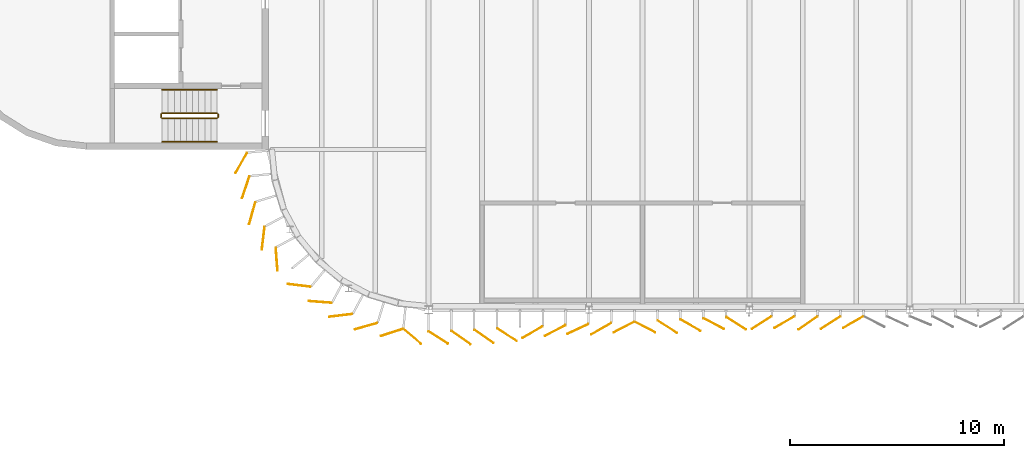
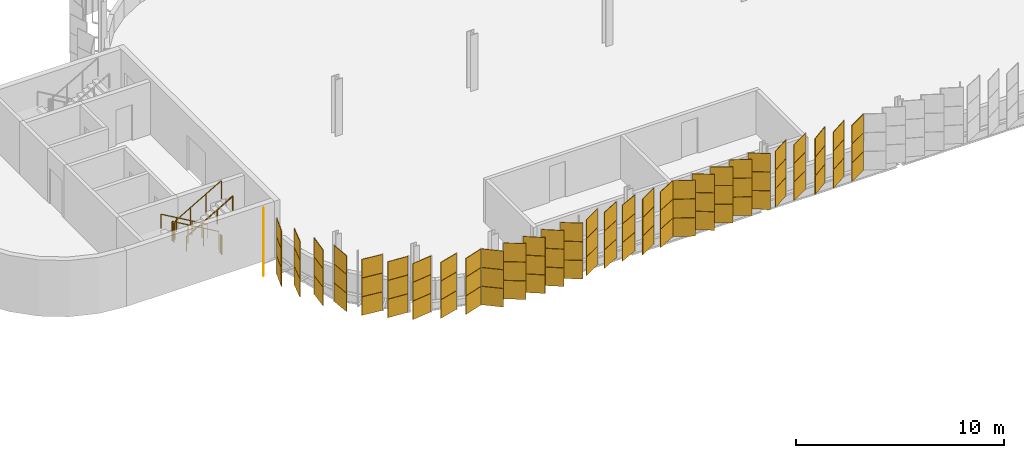
# One storey, part 197 of 214: 90 coverings, 6 railings.
"""IFC4 building model written with IfcOpenShell, lengths in metres."""

from ifc_helpers import new_model, si_unit, direction, frame, origin, origin_2d, place, context, subcontext, project, spatial, rectangle, circle, extrude, material, layer, layer_set, type_object, element, save


model = new_model("IFC4")

# Units and contexts
model_context = context("Model", 3, precision=1e-05, world=origin(), true_north=direction((0.0, 1.0)))
body_context = subcontext(model_context, "Body", "Model", "MODEL_VIEW")
ifc_project = project(units=[si_unit("LENGTHUNIT", "METRE"), si_unit("AREAUNIT", "SQUARE_METRE"), si_unit("VOLUMEUNIT", "CUBIC_METRE"), si_unit("PLANEANGLEUNIT", "RADIAN"), si_unit("MASSUNIT", "GRAM", prefix="KILO")], contexts=[model_context])

# Site, building, storey
site_placement = place(None, origin())
site = spatial("IfcSite", under=ifc_project, at=site_placement, CompositionType="ELEMENT")
building_placement = place(site_placement, origin())
building = spatial("IfcBuilding", under=site, at=building_placement, Name="Parallax Yard Mobility Hub", CompositionType="ELEMENT")
storey_placement = place(building_placement, frame((0.0, 0.0, 3.300048828125)))
storey = spatial("IfcBuildingStorey", under=building, at=storey_placement, Name="L01", CompositionType="ELEMENT", Elevation=3.300048828125)

# Coverings
ifc_material_1 = material(Name="Aluminium panel, light oak finish", Category="aluminium")
ifc_layer_1 = layer(ifc_material_1, 0.030029296875)
ifc_layer_set_1 = layer_set([ifc_layer_1], Name="Skin panel 25 degree turn, oak finish")
covering_type_1 = type_object("IfcCoveringType", Name="Skin panel 25 degree turn, oak finish", PredefinedType="CLADDING", material=ifc_layer_set_1)
for number, where, z_axis, x_axis, name in (
    (1, (36.981689453125, 111.602294921875, 1.119873046875), (0.0, 0.0, 1.0), (-0.906307787037, -0.422618261741, 0.0), "Skin panel 25 bay 1.7 row 2 level L01"),
    (2, (36.981689453125, 111.602294921875, 2.219970703125), (0.0, 0.0, 1.0), (-0.906307787037, -0.422618261741, 0.0), "Skin panel 25 bay 1.7 row 3 level L01"),
):
    element("IfcCovering", number, at=place(storey_placement, frame(where, z_axis=z_axis, x_axis=x_axis)), inside=storey, type_object=covering_type_1, Name=name, ObjectType="SCREEN", PredefinedType="CLADDING", context=body_context, shape_type="SweptSolid", body=[
        extrude(rectangle(XDim=1.080078125, YDim=0.030029296875, at=origin_2d()), origin(), (0.0, 0.0, 1.0), 1.080078125),
    ])
ifc_material_2 = material(Name="Aluminium panel, walnut finish", Category="aluminium")
ifc_layer_2 = layer(ifc_material_2, 0.030029296875)
ifc_layer_set_2 = layer_set([ifc_layer_2], Name="Skin panel 25 degree turn, walnut finish")
covering_type_2 = type_object("IfcCoveringType", Name="Skin panel 25 degree turn, walnut finish", PredefinedType="CLADDING", material=ifc_layer_set_2)
covering_placement = place(storey_placement, frame((36.981689453125, 111.602294921875, 0.02001953125), z_axis=(0.0, 0.0, 1.0), x_axis=(-0.906307787037, -0.422618261741, 0.0)))
element("IfcCovering", 3, at=covering_placement, inside=storey, type_object=covering_type_2, Name="Skin panel 25 bay 1.7 row 1 level L01", ObjectType="SCREEN", PredefinedType="CLADDING", context=body_context, shape_type="SweptSolid", body=[
    extrude(rectangle(XDim=1.080078125, YDim=0.030029296875, at=origin_2d()), origin(), (0.0, 0.0, 1.0), 1.080078125),
])
ifc_layer_3 = layer(ifc_material_1, 0.030029296875)
ifc_layer_set_3 = layer_set([ifc_layer_3], Name="Skin panel 27.5 degree turn, oak finish")
covering_type_3 = type_object("IfcCoveringType", Name="Skin panel 27.5 degree turn, oak finish", PredefinedType="CLADDING", material=ifc_layer_set_3)
for number, where, z_axis, x_axis, name in (
    (4, (35.9208984375, 111.527099609375, 1.119873046875), (0.0, 0.0, 1.0), (-0.887010833178, -0.461748613235, 0.0), "Skin panel 27.5 bay 1.6 row 2 level L01"),
    (5, (35.9208984375, 111.527099609375, 2.219970703125), (0.0, 0.0, 1.0), (-0.887010833178, -0.461748613235, 0.0), "Skin panel 27.5 bay 1.6 row 3 level L01"),
    (6, (39.13525390625, 111.687744140625, 1.119873046875), (0.0, 0.0, 1.0), (-0.887010833178, -0.461748613235, 0.0), "Skin panel 27.5 bay 2.2 row 2 level L01"),
    (7, (39.13525390625, 111.687744140625, 2.219970703125), (0.0, 0.0, 1.0), (-0.887010833178, -0.461748613235, 0.0), "Skin panel 27.5 bay 2.2 row 3 level L01"),
    (8, (40.122314453125, 111.687744140625, 1.119873046875), (0.0, 0.0, 1.0), (0.887010833178, -0.461748613235, 0.0), "Skin panel 27.5 bay 2.3 row 2 level L01"),
    (9, (40.122314453125, 111.687744140625, 2.219970703125), (0.0, 0.0, 1.0), (0.887010833178, -0.461748613235, 0.0), "Skin panel 27.5 bay 2.3 row 3 level L01"),
    (10, (43.3369140625, 111.848388671875, 1.119873046875), (0.0, 0.0, 1.0), (0.887010833178, -0.461748613235, 0.0), "Skin panel 27.5 bay 2.6 row 2 level L01"),
    (11, (43.3369140625, 111.848388671875, 2.219970703125), (0.0, 0.0, 1.0), (0.887010833178, -0.461748613235, 0.0), "Skin panel 27.5 bay 2.6 row 3 level L01"),
):
    element("IfcCovering", number, at=place(storey_placement, frame(where, z_axis=z_axis, x_axis=x_axis)), inside=storey, type_object=covering_type_3, Name=name, ObjectType="SCREEN", PredefinedType="CLADDING", context=body_context, shape_type="SweptSolid", body=[
        extrude(rectangle(XDim=1.080078125, YDim=0.030029296875, at=origin_2d()), origin(), (0.0, 0.0, 1.0), 1.080078125),
    ])
ifc_layer_4 = layer(ifc_material_2, 0.030029296875)
ifc_layer_set_4 = layer_set([ifc_layer_4], Name="Skin panel 27.5 degree turn, walnut finish")
covering_type_4 = type_object("IfcCoveringType", Name="Skin panel 27.5 degree turn, walnut finish", PredefinedType="CLADDING", material=ifc_layer_set_4)
for number, where, z_axis, x_axis, name in (
    (12, (35.9208984375, 111.527099609375, 0.02001953125), (0.0, 0.0, 1.0), (-0.887010833178, -0.461748613235, 0.0), "Skin panel 27.5 bay 1.6 row 1 level L01"),
    (13, (39.13525390625, 111.687744140625, 0.02001953125), (0.0, 0.0, 1.0), (-0.887010833178, -0.461748613235, 0.0), "Skin panel 27.5 bay 2.2 row 1 level L01"),
    (14, (40.122314453125, 111.687744140625, 0.02001953125), (0.0, 0.0, 1.0), (0.887010833178, -0.461748613235, 0.0), "Skin panel 27.5 bay 2.3 row 1 level L01"),
    (15, (43.3369140625, 111.848388671875, 0.02001953125), (0.0, 0.0, 1.0), (0.887010833178, -0.461748613235, 0.0), "Skin panel 27.5 bay 2.6 row 1 level L01"),
):
    element("IfcCovering", number, at=place(storey_placement, frame(where, z_axis=z_axis, x_axis=x_axis)), inside=storey, type_object=covering_type_4, Name=name, ObjectType="SCREEN", PredefinedType="CLADDING", context=body_context, shape_type="SweptSolid", body=[
        extrude(rectangle(XDim=1.080078125, YDim=0.030029296875, at=origin_2d()), origin(), (0.0, 0.0, 1.0), 1.080078125),
    ])
ifc_layer_5 = layer(ifc_material_1, 0.030029296875)
ifc_layer_set_5 = layer_set([ifc_layer_5], Name="Skin panel 30 degree turn, oak finish")
covering_type_5 = type_object("IfcCoveringType", Name="Skin panel 30 degree turn, oak finish", PredefinedType="CLADDING", material=ifc_layer_set_5)
for number, where, z_axis, x_axis, name in (
    (16, (34.861083984375, 111.4521484375, 1.119873046875), (0.0, 0.0, 1.0), (-0.866025403784, -0.5, 0.0), "Skin panel 30 bay 1.5 row 2 level L01"),
    (17, (34.861083984375, 111.4521484375, 2.219970703125), (0.0, 0.0, 1.0), (-0.866025403784, -0.5, 0.0), "Skin panel 30 bay 1.5 row 3 level L01"),
    (18, (38.075439453125, 111.61279296875, 1.119873046875), (0.0, 0.0, 1.0), (-0.866025403784, -0.5, 0.0), "Skin panel 30 bay 2.1 row 2 level L01"),
    (19, (38.075439453125, 111.61279296875, 2.219970703125), (0.0, 0.0, 1.0), (-0.866025403784, -0.5, 0.0), "Skin panel 30 bay 2.1 row 3 level L01"),
    (20, (42.253662109375, 111.773681640625, 1.119873046875), (0.0, 0.0, 1.0), (0.866025403784, -0.5, 0.0), "Skin panel 30 bay 2.5 row 2 level L01"),
    (21, (42.253662109375, 111.773681640625, 2.219970703125), (0.0, 0.0, 1.0), (0.866025403784, -0.5, 0.0), "Skin panel 30 bay 2.5 row 3 level L01"),
    (22, (46.6474609375, 111.921875, 1.119873046875), (0.0, 0.0, 1.0), (-0.866025403784, -0.5, 0.0), "Skin panel 30 bay 3.2 row 2 level L01"),
    (23, (46.6474609375, 111.921875, 2.219970703125), (0.0, 0.0, 1.0), (-0.866025403784, -0.5, 0.0), "Skin panel 30 bay 3.2 row 3 level L01"),
    (24, (49.862060546875, 111.921875, 1.119873046875), (0.0, 0.0, 1.0), (-0.866025403784, -0.5, 0.0), "Skin panel 30 bay 3.5 row 2 level L01"),
    (25, (49.862060546875, 111.921875, 2.219970703125), (0.0, 0.0, 1.0), (-0.866025403784, -0.5, 0.0), "Skin panel 30 bay 3.5 row 3 level L01"),
):
    element("IfcCovering", number, at=place(storey_placement, frame(where, z_axis=z_axis, x_axis=x_axis)), inside=storey, type_object=covering_type_5, Name=name, ObjectType="SCREEN", PredefinedType="CLADDING", context=body_context, shape_type="SweptSolid", body=[
        extrude(rectangle(XDim=1.080078125, YDim=0.030029296875, at=origin_2d()), origin(), (0.0, 0.0, 1.0), 1.080078125),
    ])
ifc_layer_6 = layer(ifc_material_2, 0.030029296875)
ifc_layer_set_6 = layer_set([ifc_layer_6], Name="Skin panel 30 degree turn, walnut finish")
covering_type_6 = type_object("IfcCoveringType", Name="Skin panel 30 degree turn, walnut finish", PredefinedType="CLADDING", material=ifc_layer_set_6)
for number, where, z_axis, x_axis, name in (
    (26, (34.861083984375, 111.4521484375, 0.02001953125), (0.0, 0.0, 1.0), (-0.866025403784, -0.5, 0.0), "Skin panel 30 bay 1.5 row 1 level L01"),
    (27, (38.075439453125, 111.61279296875, 0.02001953125), (0.0, 0.0, 1.0), (-0.866025403784, -0.5, 0.0), "Skin panel 30 bay 2.1 row 1 level L01"),
    (28, (42.253662109375, 111.773681640625, 0.02001953125), (0.0, 0.0, 1.0), (0.866025403784, -0.5, 0.0), "Skin panel 30 bay 2.5 row 1 level L01"),
    (29, (46.6474609375, 111.921875, 0.02001953125), (0.0, 0.0, 1.0), (-0.866025403784, -0.5, 0.0), "Skin panel 30 bay 3.2 row 1 level L01"),
    (30, (49.862060546875, 111.921875, 0.02001953125), (0.0, 0.0, 1.0), (-0.866025403784, -0.5, 0.0), "Skin panel 30 bay 3.5 row 1 level L01"),
):
    element("IfcCovering", number, at=place(storey_placement, frame(where, z_axis=z_axis, x_axis=x_axis)), inside=storey, type_object=covering_type_6, Name=name, ObjectType="SCREEN", PredefinedType="CLADDING", context=body_context, shape_type="SweptSolid", body=[
        extrude(rectangle(XDim=1.080078125, YDim=0.030029296875, at=origin_2d()), origin(), (0.0, 0.0, 1.0), 1.080078125),
    ])
ifc_layer_7 = layer(ifc_material_1, 0.030029296875)
ifc_layer_set_7 = layer_set([ifc_layer_7], Name="Skin panel 32.5 degree turn, oak finish")
covering_type_7 = type_object("IfcCoveringType", Name="Skin panel 32.5 degree turn, oak finish", PredefinedType="CLADDING", material=ifc_layer_set_7)
for number, where, z_axis, x_axis, name in (
    (31, (21.748779296875, 117.013671875, 1.119873046875), (0.0, 0.0, 1.0), (-0.269340053953, -0.963045136708, 0.0), "Skin panel 32.5 bay 72.3 row 2 level L01"),
    (32, (21.748779296875, 117.013671875, 2.219970703125), (0.0, 0.0, 1.0), (-0.269340053953, -0.963045136708, 0.0), "Skin panel 32.5 bay 72.3 row 3 level L01"),
    (33, (23.93896484375, 113.63818359375, 1.119873046875), (0.0, 0.0, 1.0), (-0.992809667009, 0.119703655305, 0.0), "Skin panel 32.5 bay 72.6 row 2 level L01"),
    (34, (23.93896484375, 113.63818359375, 2.219970703125), (0.0, 0.0, 1.0), (-0.992809667009, 0.119703655305, 0.0), "Skin panel 32.5 bay 72.6 row 3 level L01"),
    (35, (27.076171875, 111.729736328125, 1.119873046875), (0.0, 0.0, 1.0), (-0.963045136708, -0.269340053953, 0.0), "Skin panel 32.5 bay 72.9 row 2 level L01"),
    (36, (27.076171875, 111.729736328125, 2.219970703125), (0.0, 0.0, 1.0), (-0.963045136708, -0.269340053953, 0.0), "Skin panel 32.5 bay 72.9 row 3 level L01"),
    (37, (30.45458984375, 111.201171875, 1.119873046875), (0.0, 0.0, 1.0), (0.843391445813, -0.537299608347, 0.0), "Skin panel 32.5 bay 1.1 row 2 level L01"),
    (38, (30.45458984375, 111.201171875, 2.219970703125), (0.0, 0.0, 1.0), (0.843391445813, -0.537299608347, 0.0), "Skin panel 32.5 bay 1.1 row 3 level L01"),
    (39, (33.6689453125, 111.32421875, 1.119873046875), (0.0, 0.0, 1.0), (0.843391445813, -0.537299608347, 0.0), "Skin panel 32.5 bay 1.4 row 2 level L01"),
    (40, (33.6689453125, 111.32421875, 2.219970703125), (0.0, 0.0, 1.0), (0.843391445813, -0.537299608347, 0.0), "Skin panel 32.5 bay 1.4 row 3 level L01"),
    (41, (41.16943359375, 111.69921875, 1.119873046875), (0.0, 0.0, 1.0), (0.843391445813, -0.537299608347, 0.0), "Skin panel 32.5 bay 2.4 row 2 level L01"),
    (42, (41.16943359375, 111.69921875, 2.219970703125), (0.0, 0.0, 1.0), (0.843391445813, -0.537299608347, 0.0), "Skin panel 32.5 bay 2.4 row 3 level L01"),
    (43, (44.384033203125, 111.860107421875, 1.119873046875), (0.0, 0.0, 1.0), (0.843391445813, -0.537299608347, 0.0), "Skin panel 32.5 bay 2.7 row 2 level L01"),
    (44, (44.384033203125, 111.860107421875, 2.219970703125), (0.0, 0.0, 1.0), (0.843391445813, -0.537299608347, 0.0), "Skin panel 32.5 bay 2.7 row 3 level L01"),
    (45, (45.588623046875, 111.901123046875, 1.119873046875), (0.0, 0.0, 1.0), (-0.843391445813, -0.537299608347, 0.0), "Skin panel 32.5 bay 3.1 row 2 level L01"),
    (46, (45.588623046875, 111.901123046875, 2.219970703125), (0.0, 0.0, 1.0), (-0.843391445813, -0.537299608347, 0.0), "Skin panel 32.5 bay 3.1 row 3 level L01"),
    (47, (48.802978515625, 111.901123046875, 1.119873046875), (0.0, 0.0, 1.0), (-0.843391445813, -0.537299608347, 0.0), "Skin panel 32.5 bay 3.4 row 2 level L01"),
    (48, (48.802978515625, 111.901123046875, 2.219970703125), (0.0, 0.0, 1.0), (-0.843391445813, -0.537299608347, 0.0), "Skin panel 32.5 bay 3.4 row 3 level L01"),
):
    element("IfcCovering", number, at=place(storey_placement, frame(where, z_axis=z_axis, x_axis=x_axis)), inside=storey, type_object=covering_type_7, Name=name, ObjectType="SCREEN", PredefinedType="CLADDING", context=body_context, shape_type="SweptSolid", body=[
        extrude(rectangle(XDim=1.080078125, YDim=0.030029296875, at=origin_2d()), origin(), (0.0, 0.0, 1.0), 1.080078125),
    ])
ifc_layer_8 = layer(ifc_material_2, 0.030029296875)
ifc_layer_set_8 = layer_set([ifc_layer_8], Name="Skin panel 32.5 degree turn, walnut finish")
covering_type_8 = type_object("IfcCoveringType", Name="Skin panel 32.5 degree turn, walnut finish", PredefinedType="CLADDING", material=ifc_layer_set_8)
for number, where, z_axis, x_axis, name in (
    (49, (21.748779296875, 117.013671875, 0.02001953125), (0.0, 0.0, 1.0), (-0.269340053953, -0.963045136708, 0.0), "Skin panel 32.5 bay 72.3 row 1 level L01"),
    (50, (23.93896484375, 113.63818359375, 0.02001953125), (0.0, 0.0, 1.0), (-0.992809667009, 0.119703655305, 0.0), "Skin panel 32.5 bay 72.6 row 1 level L01"),
    (51, (27.076171875, 111.729736328125, 0.02001953125), (0.0, 0.0, 1.0), (-0.963045136708, -0.269340053953, 0.0), "Skin panel 32.5 bay 72.9 row 1 level L01"),
    (52, (30.45458984375, 111.201171875, 0.02001953125), (0.0, 0.0, 1.0), (0.843391445813, -0.537299608347, 0.0), "Skin panel 32.5 bay 1.1 row 1 level L01"),
    (53, (33.6689453125, 111.32421875, 0.02001953125), (0.0, 0.0, 1.0), (0.843391445813, -0.537299608347, 0.0), "Skin panel 32.5 bay 1.4 row 1 level L01"),
    (54, (41.16943359375, 111.69921875, 0.02001953125), (0.0, 0.0, 1.0), (0.843391445813, -0.537299608347, 0.0), "Skin panel 32.5 bay 2.4 row 1 level L01"),
    (55, (44.384033203125, 111.860107421875, 0.02001953125), (0.0, 0.0, 1.0), (0.843391445813, -0.537299608347, 0.0), "Skin panel 32.5 bay 2.7 row 1 level L01"),
    (56, (45.588623046875, 111.901123046875, 0.02001953125), (0.0, 0.0, 1.0), (-0.843391445813, -0.537299608347, 0.0), "Skin panel 32.5 bay 3.1 row 1 level L01"),
    (57, (48.802978515625, 111.901123046875, 0.02001953125), (0.0, 0.0, 1.0), (-0.843391445813, -0.537299608347, 0.0), "Skin panel 32.5 bay 3.4 row 1 level L01"),
):
    element("IfcCovering", number, at=place(storey_placement, frame(where, z_axis=z_axis, x_axis=x_axis)), inside=storey, type_object=covering_type_8, Name=name, ObjectType="SCREEN", PredefinedType="CLADDING", context=body_context, shape_type="SweptSolid", body=[
        extrude(rectangle(XDim=1.080078125, YDim=0.030029296875, at=origin_2d()), origin(), (0.0, 0.0, 1.0), 1.080078125),
    ])
ifc_layer_9 = layer(ifc_material_1, 0.030029296875)
ifc_layer_set_9 = layer_set([ifc_layer_9], Name="Skin panel 35 degree turn, oak finish")
covering_type_9 = type_object("IfcCoveringType", Name="Skin panel 35 degree turn, oak finish", PredefinedType="CLADDING", material=ifc_layer_set_9)
for number, where, z_axis, x_axis, name in (
    (58, (21.23681640625, 119.36669921875, 1.119873046875), (0.0, 0.0, 1.0), (-0.490523568159, -0.87142792535, 0.0), "Skin panel 35 bay 72.1 row 2 level L01"),
    (59, (21.23681640625, 119.36669921875, 2.219970703125), (0.0, 0.0, 1.0), (-0.490523568159, -0.87142792535, 0.0), "Skin panel 35 bay 72.1 row 3 level L01"),
    (60, (21.44482421875, 118.224609375, 1.119873046875), (0.0, 0.0, 1.0), (-0.311091140771, -0.950380082985, 0.0), "Skin panel 35 bay 72.2 row 2 level L01"),
    (61, (21.44482421875, 118.224609375, 2.219970703125), (0.0, 0.0, 1.0), (-0.311091140771, -0.950380082985, 0.0), "Skin panel 35 bay 72.2 row 3 level L01"),
    (62, (22.26513671875, 115.839111328125, 1.119873046875), (0.0, 0.0, 1.0), (-0.119703655305, -0.992809667009, 0.0), "Skin panel 35 bay 72.4 row 2 level L01"),
    (63, (22.26513671875, 115.839111328125, 2.219970703125), (0.0, 0.0, 1.0), (-0.119703655305, -0.992809667009, 0.0), "Skin panel 35 bay 72.4 row 3 level L01"),
    (64, (22.894287109375, 114.86328125, 1.119873046875), (0.0, 0.0, 1.0), (0.076283974504, -0.997086132304, 0.0), "Skin panel 35 bay 72.5 row 2 level L01"),
    (65, (22.894287109375, 114.86328125, 2.219970703125), (0.0, 0.0, 1.0), (0.076283974504, -0.997086132304, 0.0), "Skin panel 35 bay 72.5 row 3 level L01"),
    (66, (24.921142578125, 112.863525390625, 1.119873046875), (0.0, 0.0, 1.0), (-0.997086132304, 0.076283974504, 0.0), "Skin panel 35 bay 72.7 row 2 level L01"),
    (67, (24.921142578125, 112.863525390625, 2.219970703125), (0.0, 0.0, 1.0), (-0.997086132304, 0.076283974504, 0.0), "Skin panel 35 bay 72.7 row 3 level L01"),
    (68, (25.896728515625, 112.234375, 1.119873046875), (0.0, 0.0, 1.0), (-0.992809667009, -0.119703655305, 0.0), "Skin panel 35 bay 72.8 row 2 level L01"),
    (69, (25.896728515625, 112.234375, 2.219970703125), (0.0, 0.0, 1.0), (-0.992809667009, -0.119703655305, 0.0), "Skin panel 35 bay 72.8 row 3 level L01"),
    (70, (28.28955078125, 111.4384765625, 1.119873046875), (0.0, 0.0, 1.0), (-0.950380082985, -0.311091140771, 0.0), "Skin panel 35 bay 72.10 row 2 level L01"),
    (71, (28.28955078125, 111.4384765625, 2.219970703125), (0.0, 0.0, 1.0), (-0.950380082985, -0.311091140771, 0.0), "Skin panel 35 bay 72.10 row 3 level L01"),
    (72, (29.240478515625, 111.249267578125, 1.119873046875), (0.0, 0.0, 1.0), (0.758987281247, -0.651105449912, 0.0), "Skin panel 35 bay 72.11 row 2 level L01"),
    (73, (29.240478515625, 111.249267578125, 2.219970703125), (0.0, 0.0, 1.0), (0.758987281247, -0.651105449912, 0.0), "Skin panel 35 bay 72.11 row 3 level L01"),
    (74, (31.512451171875, 111.197021484375, 1.119873046875), (0.0, 0.0, 1.0), (0.819152044289, -0.573576436351, 0.0), "Skin panel 35 bay 1.2 row 2 level L01"),
    (75, (31.512451171875, 111.197021484375, 2.219970703125), (0.0, 0.0, 1.0), (0.819152044289, -0.573576436351, 0.0), "Skin panel 35 bay 1.2 row 3 level L01"),
    (76, (32.583984375, 111.25048828125, 1.119873046875), (0.0, 0.0, 1.0), (0.819152044289, -0.573576436351, 0.0), "Skin panel 35 bay 1.3 row 2 level L01"),
    (77, (32.583984375, 111.25048828125, 2.219970703125), (0.0, 0.0, 1.0), (0.819152044289, -0.573576436351, 0.0), "Skin panel 35 bay 1.3 row 3 level L01"),
    (78, (47.7451171875, 111.880859375, 1.119873046875), (0.0, 0.0, 1.0), (-0.819152044289, -0.573576436351, 0.0), "Skin panel 35 bay 3.3 row 2 level L01"),
    (79, (47.7451171875, 111.880859375, 2.219970703125), (0.0, 0.0, 1.0), (-0.819152044289, -0.573576436351, 0.0), "Skin panel 35 bay 3.3 row 3 level L01"),
):
    element("IfcCovering", number, at=place(storey_placement, frame(where, z_axis=z_axis, x_axis=x_axis)), inside=storey, type_object=covering_type_9, Name=name, ObjectType="SCREEN", PredefinedType="CLADDING", context=body_context, shape_type="SweptSolid", body=[
        extrude(rectangle(XDim=1.080078125, YDim=0.030029296875, at=origin_2d()), origin(), (0.0, 0.0, 1.0), 1.080078125),
    ])
ifc_layer_10 = layer(ifc_material_2, 0.030029296875)
ifc_layer_set_10 = layer_set([ifc_layer_10], Name="Skin panel 35 degree turn, walnut finish")
covering_type_10 = type_object("IfcCoveringType", Name="Skin panel 35 degree turn, walnut finish", PredefinedType="CLADDING", material=ifc_layer_set_10)
for number, where, z_axis, x_axis, name in (
    (80, (21.23681640625, 119.36669921875, 0.02001953125), (0.0, 0.0, 1.0), (-0.490523568159, -0.87142792535, 0.0), "Skin panel 35 bay 72.1 row 1 level L01"),
    (81, (21.44482421875, 118.224609375, 0.02001953125), (0.0, 0.0, 1.0), (-0.311091140771, -0.950380082985, 0.0), "Skin panel 35 bay 72.2 row 1 level L01"),
    (82, (22.26513671875, 115.839111328125, 0.02001953125), (0.0, 0.0, 1.0), (-0.119703655305, -0.992809667009, 0.0), "Skin panel 35 bay 72.4 row 1 level L01"),
    (83, (22.894287109375, 114.86328125, 0.02001953125), (0.0, 0.0, 1.0), (0.076283974504, -0.997086132304, 0.0), "Skin panel 35 bay 72.5 row 1 level L01"),
    (84, (24.921142578125, 112.863525390625, 0.02001953125), (0.0, 0.0, 1.0), (-0.997086132304, 0.076283974504, 0.0), "Skin panel 35 bay 72.7 row 1 level L01"),
    (85, (25.896728515625, 112.234375, 0.02001953125), (0.0, 0.0, 1.0), (-0.992809667009, -0.119703655305, 0.0), "Skin panel 35 bay 72.8 row 1 level L01"),
    (86, (28.28955078125, 111.4384765625, 0.02001953125), (0.0, 0.0, 1.0), (-0.950380082985, -0.311091140771, 0.0), "Skin panel 35 bay 72.10 row 1 level L01"),
    (87, (29.240478515625, 111.249267578125, 0.02001953125), (0.0, 0.0, 1.0), (0.758987281247, -0.651105449912, 0.0), "Skin panel 35 bay 72.11 row 1 level L01"),
    (88, (31.512451171875, 111.197021484375, 0.02001953125), (0.0, 0.0, 1.0), (0.819152044289, -0.573576436351, 0.0), "Skin panel 35 bay 1.2 row 1 level L01"),
    (89, (32.583984375, 111.25048828125, 0.02001953125), (0.0, 0.0, 1.0), (0.819152044289, -0.573576436351, 0.0), "Skin panel 35 bay 1.3 row 1 level L01"),
    (90, (47.7451171875, 111.880859375, 0.02001953125), (0.0, 0.0, 1.0), (-0.819152044289, -0.573576436351, 0.0), "Skin panel 35 bay 3.3 row 1 level L01"),
):
    element("IfcCovering", number, at=place(storey_placement, frame(where, z_axis=z_axis, x_axis=x_axis)), inside=storey, type_object=covering_type_10, Name=name, ObjectType="SCREEN", PredefinedType="CLADDING", context=body_context, shape_type="SweptSolid", body=[
        extrude(rectangle(XDim=1.080078125, YDim=0.030029296875, at=origin_2d()), origin(), (0.0, 0.0, 1.0), 1.080078125),
    ])

# Railings
ifc_material_3 = material(Name="Steel ASTM A36", Category="steel")
railing_type_1 = type_object("IfcRailingType", Name="Stair guard 1100", PredefinedType="GUARDRAIL", material=ifc_material_3)
railing_1_placement = place(storey_placement, frame((20.10009765625, 121.699951171875, 0.1650390625)))
element("IfcRailing", 91, at=railing_1_placement, inside=storey, type_object=railing_type_1, Name="L01 ST1 stair guard 1", PredefinedType="GUARDRAIL", context=body_context, shape_type="SweptSolid", body=[
    extrude(circle(Radius=0.02392578125, at=origin_2d()), frame((0.0, 0.0, 1.076171875), z_axis=(-0.865461999751, 0.0, 0.500974577186), x_axis=(0.0, -1.0, 0.0)), (0.0, 0.0, 1.0), 2.9638671875),
    extrude(circle(Radius=0.02099609375, at=origin_2d()), origin(), (0.0, 0.0, 1.0), 1.052001953125),
    extrude(circle(Radius=0.02099609375, at=origin_2d()), frame((-0.85498046875, 0.0, 0.494873046875)), (0.0, 0.0, 1.0), 1.052001953125),
    extrude(circle(Radius=0.02099609375, at=origin_2d()), frame((-1.710205078125, 0.0, 0.989990234375)), (0.0, 0.0, 1.0), 1.052001953125),
    extrude(circle(Radius=0.02099609375, at=origin_2d()), frame((-2.565185546875, 0.0, 1.48486328125)), (0.0, 0.0, 1.0), 1.052001953125),
])
railing_2_placement = place(storey_placement, frame((17.485107421875, 121.64990234375, 1.64990234375)))
element("IfcRailing", 92, at=railing_2_placement, inside=storey, type_object=railing_type_1, Name="L01 ST1 stair guard 2", PredefinedType="GUARDRAIL", context=body_context, shape_type="SweptSolid", body=[
    extrude(circle(Radius=0.02392578125, at=origin_2d()), frame((0.0, 0.0, 1.076171875), z_axis=(0.0, -1.0, 0.0), x_axis=(1.0, 0.0, 0.0)), (0.0, 0.0, 1.0), 0.14990234375),
    extrude(circle(Radius=0.02099609375, at=origin_2d()), origin(), (0.0, 0.0, 1.0), 1.052001953125),
    extrude(circle(Radius=0.02099609375, at=origin_2d()), frame((0.0, -0.14990234375, 0.0)), (0.0, 0.0, 1.0), 1.052001953125),
])
railing_3_placement = place(storey_placement, frame((17.534912109375, 121.449951171875, 1.81494140625)))
element("IfcRailing", 93, at=railing_3_placement, inside=storey, type_object=railing_type_1, Name="L01 ST1 stair guard 3", PredefinedType="GUARDRAIL", context=body_context, shape_type="SweptSolid", body=[
    extrude(circle(Radius=0.02392578125, at=origin_2d()), frame((0.0, 0.0, 1.076171875), z_axis=(0.865426285481, 0.0, 0.501036270542), x_axis=(0.0, 1.0, 0.0)), (0.0, 0.0, 1.0), 2.964111328125),
    extrude(circle(Radius=0.02099609375, at=origin_2d()), origin(), (0.0, 0.0, 1.0), 1.052001953125),
    extrude(circle(Radius=0.02099609375, at=origin_2d()), frame((0.85498046875, 0.0, 0.4951171875)), (0.0, 0.0, 1.0), 1.052001953125),
    extrude(circle(Radius=0.02099609375, at=origin_2d()), frame((1.710205078125, 0.0, 0.989990234375)), (0.0, 0.0, 1.0), 1.052001953125),
    extrude(circle(Radius=0.02099609375, at=origin_2d()), frame((2.565185546875, 0.0, 1.485107421875)), (0.0, 0.0, 1.0), 1.052001953125),
])
railing_4_placement = place(storey_placement, frame((20.14990234375, 121.64990234375, 0.0)))
element("IfcRailing", 94, at=railing_4_placement, inside=storey, type_object=railing_type_1, Name="L01 ST1 stair guard 4", PredefinedType="GUARDRAIL", context=body_context, shape_type="SweptSolid", body=[
    extrude(circle(Radius=0.02392578125, at=origin_2d()), frame((0.0, 0.0, 1.076171875), z_axis=(0.0, -1.0, 0.0), x_axis=(1.0, 0.0, 0.0)), (0.0, 0.0, 1.0), 0.14990234375),
    extrude(circle(Radius=0.02099609375, at=origin_2d()), origin(), (0.0, 0.0, 1.0), 1.052001953125),
    extrude(circle(Radius=0.02099609375, at=origin_2d()), frame((0.0, -0.14990234375, 0.0)), (0.0, 0.0, 1.0), 1.052001953125),
])
railing_type_2 = type_object("IfcRailingType", Name="Stair handrail", PredefinedType="HANDRAIL", material=ifc_material_3)
railing_5_placement = place(storey_placement, frame((20.10009765625, 122.800048828125, 0.1650390625)))
element("IfcRailing", 95, at=railing_5_placement, inside=storey, type_object=railing_type_2, Name="L01 ST1 stair handrail 1", PredefinedType="HANDRAIL", context=body_context, shape_type="SweptSolid", body=[
    extrude(circle(Radius=0.02392578125, at=origin_2d()), frame((0.0, 0.0, 0.8310546875), z_axis=(-0.865461999751, 0.0, 0.500974577186), x_axis=(0.0, -1.0, 0.0)), (0.0, 0.0, 1.0), 2.9638671875),
    extrude(circle(Radius=0.02099609375, at=origin_2d()), origin(), (0.0, 0.0, 1.0), 0.806884765625),
    extrude(circle(Radius=0.02099609375, at=origin_2d()), frame((-0.85498046875, 0.0, 0.494873046875)), (0.0, 0.0, 1.0), 0.806884765625),
    extrude(circle(Radius=0.02099609375, at=origin_2d()), frame((-1.710205078125, 0.0, 0.989990234375)), (0.0, 0.0, 1.0), 0.806884765625),
    extrude(circle(Radius=0.02099609375, at=origin_2d()), frame((-2.565185546875, 0.0, 1.48486328125)), (0.0, 0.0, 1.0), 0.806884765625),
])
railing_6_placement = place(storey_placement, frame((17.534912109375, 120.35009765625, 1.81494140625)))
element("IfcRailing", 96, at=railing_6_placement, inside=storey, type_object=railing_type_2, Name="L01 ST1 stair handrail 2", PredefinedType="HANDRAIL", context=body_context, shape_type="SweptSolid", body=[
    extrude(circle(Radius=0.02392578125, at=origin_2d()), frame((0.0, 0.0, 0.8310546875), z_axis=(0.865426285481, 0.0, 0.501036270542), x_axis=(0.0, 1.0, 0.0)), (0.0, 0.0, 1.0), 2.964111328125),
    extrude(circle(Radius=0.02099609375, at=origin_2d()), origin(), (0.0, 0.0, 1.0), 0.806884765625),
    extrude(circle(Radius=0.02099609375, at=origin_2d()), frame((0.85498046875, 0.0, 0.4951171875)), (0.0, 0.0, 1.0), 0.806884765625),
    extrude(circle(Radius=0.02099609375, at=origin_2d()), frame((1.710205078125, 0.0, 0.989990234375)), (0.0, 0.0, 1.0), 0.806884765625),
    extrude(circle(Radius=0.02099609375, at=origin_2d()), frame((2.565185546875, 0.0, 1.485107421875)), (0.0, 0.0, 1.0), 0.806884765625),
])

save(model, "model.ifc")
